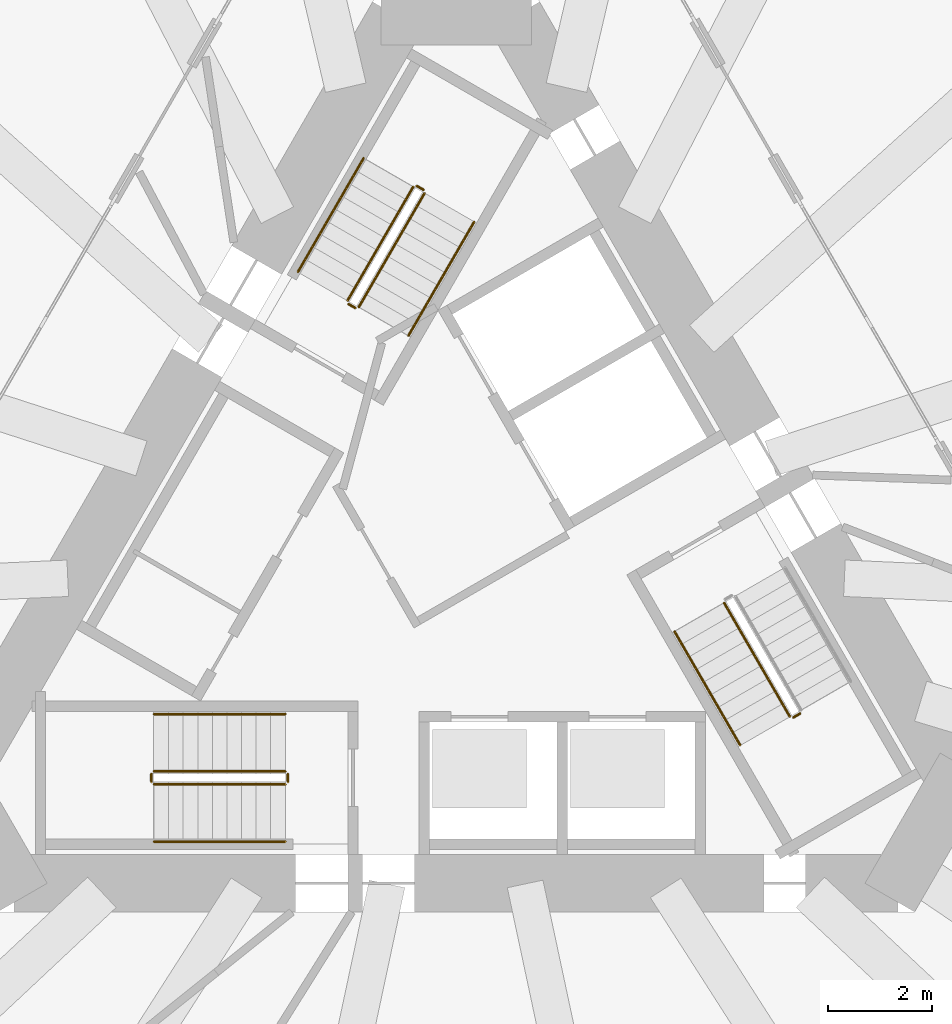
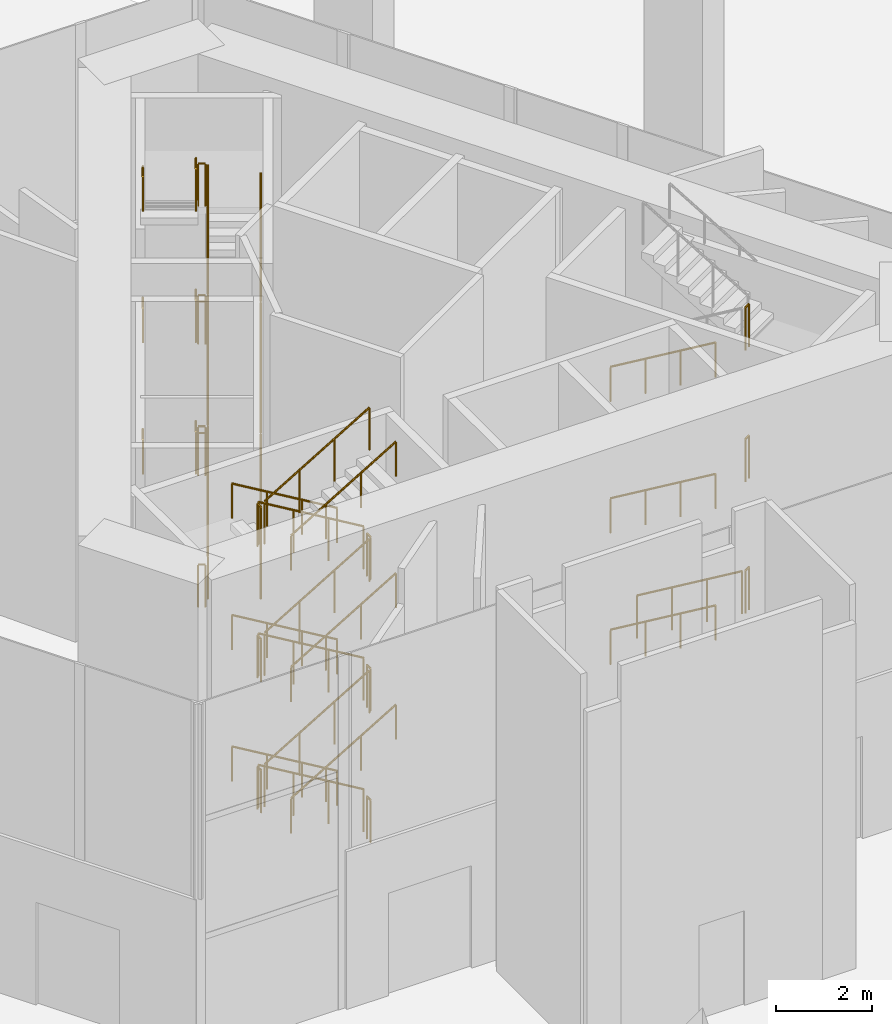
# One storey, part 11 of 13: 43 railings.
"""IFC4 building model written with IfcOpenShell, lengths in metres."""

from ifc_helpers import new_model, si_unit, direction, frame, origin, origin_2d, place, context, subcontext, project, spatial, circle, extrude, material, type_object, element, save


model = new_model("IFC4")

# Units and contexts
model_context = context("Model", 3, precision=1e-05, world=origin(), true_north=direction((0.0, 1.0)))
body_context = subcontext(model_context, "Body", "Model", "MODEL_VIEW")
ifc_project = project(units=[si_unit("LENGTHUNIT", "METRE"), si_unit("AREAUNIT", "SQUARE_METRE"), si_unit("VOLUMEUNIT", "CUBIC_METRE"), si_unit("PLANEANGLEUNIT", "RADIAN"), si_unit("MASSUNIT", "GRAM", prefix="KILO")], contexts=[model_context])

# Site, building, storey
site_placement = place(None, origin())
site = spatial("IfcSite", under=ifc_project, at=site_placement, CompositionType="ELEMENT")
building_placement = place(site_placement, origin())
building = spatial("IfcBuilding", under=site, at=building_placement, Name="Tramontana Tower", CompositionType="ELEMENT")
storey_placement = place(building_placement, origin())
storey = spatial("IfcBuildingStorey", under=building, at=storey_placement, Name="L00", CompositionType="ELEMENT", Elevation=0.0)

# Railings
ifc_material_1 = material(Name="Painted steel", Category="steel")
railing_type_1 = type_object("IfcRailingType", Name="STAIR GUARD 1100", PredefinedType="GUARDRAIL", material=ifc_material_1)
railing_1_placement = place(storey_placement, frame((-1.867431640625, 4.865478515625, 0.166748046875)))
element("IfcRailing", 1, at=railing_1_placement, inside=storey, type_object=railing_type_1, Name="L00 ST1 stair guard 1", PredefinedType="GUARDRAIL", context=body_context, shape_type="SweptSolid", body=[
    extrude(circle(Radius=0.02392578125, at=origin_2d()), frame((0.0, 0.0, 1.076171875), z_axis=(0.429650353548, 0.744166733262, 0.51148455187), x_axis=(-0.866022637375, 0.500004791531, 0.0)), (0.0, 0.0, 1.0), 2.9326171875),
    extrude(circle(Radius=0.02099609375, at=origin_2d()), origin(), (0.0, 0.0, 1.0), 1.052001953125),
    extrude(circle(Radius=0.02099609375, at=origin_2d()), frame((0.419921875, 0.7275390625, 0.5)), (0.0, 0.0, 1.0), 1.052001953125),
    extrude(circle(Radius=0.02099609375, at=origin_2d()), frame((0.840087890625, 1.454833984375, 1.0)), (0.0, 0.0, 1.0), 1.052001953125),
    extrude(circle(Radius=0.02099609375, at=origin_2d()), frame((1.260009765625, 2.182373046875, 1.5)), (0.0, 0.0, 1.0), 1.052001953125),
])
railing_2_placement = place(storey_placement, frame((-0.823974609375, 7.1728515625, 1.833251953125)))
element("IfcRailing", 2, at=railing_2_placement, inside=storey, type_object=railing_type_1, Name="L00 ST1 stair guard 2", PredefinedType="GUARDRAIL", context=body_context, shape_type="SweptSolid", body=[
    extrude(circle(Radius=0.02392578125, at=origin_2d()), frame((0.0, 0.0, 1.076171875), z_axis=(-0.429650353548, -0.744166733262, 0.51148455187), x_axis=(0.866022637375, -0.500004791531, 0.0)), (0.0, 0.0, 1.0), 2.9326171875),
    extrude(circle(Radius=0.02099609375, at=origin_2d()), origin(), (0.0, 0.0, 1.0), 1.052001953125),
    extrude(circle(Radius=0.02099609375, at=origin_2d()), frame((-0.419921875, -0.7275390625, 0.5)), (0.0, 0.0, 1.0), 1.052001953125),
    extrude(circle(Radius=0.02099609375, at=origin_2d()), frame((-0.840087890625, -1.454833984375, 1.0)), (0.0, 0.0, 1.0), 1.052001953125),
    extrude(circle(Radius=0.02099609375, at=origin_2d()), frame((-1.260009765625, -2.182373046875, 1.5)), (0.0, 0.0, 1.0), 1.052001953125),
])
railing_3_placement = place(storey_placement, frame((-1.867431640625, 4.865478515625, 3.5)))
element("IfcRailing", 3, at=railing_3_placement, inside=storey, type_object=railing_type_1, Name="L00 ST1 stair guard 3", PredefinedType="GUARDRAIL", context=body_context, shape_type="SweptSolid", body=[
    extrude(circle(Radius=0.02392578125, at=origin_2d()), frame((0.0, 0.0, 1.076171875), z_axis=(0.429650353548, 0.744166733262, 0.51148455187), x_axis=(-0.866022637375, 0.500004791531, 0.0)), (0.0, 0.0, 1.0), 2.9326171875),
    extrude(circle(Radius=0.02099609375, at=origin_2d()), origin(), (0.0, 0.0, 1.0), 1.052001953125),
    extrude(circle(Radius=0.02099609375, at=origin_2d()), frame((0.419921875, 0.7275390625, 0.5)), (0.0, 0.0, 1.0), 1.052001953125),
    extrude(circle(Radius=0.02099609375, at=origin_2d()), frame((0.840087890625, 1.454833984375, 1.0)), (0.0, 0.0, 1.0), 1.052001953125),
    extrude(circle(Radius=0.02099609375, at=origin_2d()), frame((1.260009765625, 2.182373046875, 1.5)), (0.0, 0.0, 1.0), 1.052001953125),
])
railing_4_placement = place(storey_placement, frame((-0.823974609375, 7.1728515625, 5.166748046875)))
element("IfcRailing", 4, at=railing_4_placement, inside=storey, type_object=railing_type_1, Name="L00 ST1 stair guard 4", PredefinedType="GUARDRAIL", context=body_context, shape_type="SweptSolid", body=[
    extrude(circle(Radius=0.02392578125, at=origin_2d()), frame((0.0, 0.0, 1.076171875), z_axis=(-0.429650353548, -0.744166733262, 0.51148455187), x_axis=(0.866022637375, -0.500004791531, 0.0)), (0.0, 0.0, 1.0), 2.9326171875),
    extrude(circle(Radius=0.02099609375, at=origin_2d()), origin(), (0.0, 0.0, 1.0), 1.052001953125),
    extrude(circle(Radius=0.02099609375, at=origin_2d()), frame((-0.419921875, -0.7275390625, 0.5)), (0.0, 0.0, 1.0), 1.052001953125),
    extrude(circle(Radius=0.02099609375, at=origin_2d()), frame((-0.840087890625, -1.454833984375, 1.0)), (0.0, 0.0, 1.0), 1.052001953125),
    extrude(circle(Radius=0.02099609375, at=origin_2d()), frame((-1.260009765625, -2.182373046875, 1.5)), (0.0, 0.0, 1.0), 1.052001953125),
])
railing_5_placement = place(storey_placement, frame((-1.867431640625, 4.865478515625, 6.833251953125)))
element("IfcRailing", 5, at=railing_5_placement, inside=storey, type_object=railing_type_1, Name="L00 ST1 stair guard 5", PredefinedType="GUARDRAIL", context=body_context, shape_type="SweptSolid", body=[
    extrude(circle(Radius=0.02392578125, at=origin_2d()), frame((0.0, 0.0, 1.076171875), z_axis=(0.429650353548, 0.744166733262, 0.51148455187), x_axis=(-0.866022637375, 0.500004791531, 0.0)), (0.0, 0.0, 1.0), 2.9326171875),
    extrude(circle(Radius=0.02099609375, at=origin_2d()), origin(), (0.0, 0.0, 1.0), 1.052001953125),
    extrude(circle(Radius=0.02099609375, at=origin_2d()), frame((0.419921875, 0.7275390625, 0.5)), (0.0, 0.0, 1.0), 1.052001953125),
    extrude(circle(Radius=0.02099609375, at=origin_2d()), frame((0.840087890625, 1.454833984375, 1.0)), (0.0, 0.0, 1.0), 1.052001953125),
    extrude(circle(Radius=0.02099609375, at=origin_2d()), frame((1.260009765625, 2.182373046875, 1.5)), (0.0, 0.0, 1.0), 1.052001953125),
])
railing_6_placement = place(storey_placement, frame((-0.823974609375, 7.1728515625, 8.5)))
element("IfcRailing", 6, at=railing_6_placement, inside=storey, type_object=railing_type_1, Name="L00 ST1 stair guard 6", PredefinedType="GUARDRAIL", context=body_context, shape_type="SweptSolid", body=[
    extrude(circle(Radius=0.02392578125, at=origin_2d()), frame((0.0, 0.0, 1.076171875), z_axis=(-0.429650353548, -0.744166733262, 0.51148455187), x_axis=(0.866022637375, -0.500004791531, 0.0)), (0.0, 0.0, 1.0), 2.9326171875),
    extrude(circle(Radius=0.02099609375, at=origin_2d()), origin(), (0.0, 0.0, 1.0), 1.052001953125),
    extrude(circle(Radius=0.02099609375, at=origin_2d()), frame((-0.419921875, -0.7275390625, 0.5)), (0.0, 0.0, 1.0), 1.052001953125),
    extrude(circle(Radius=0.02099609375, at=origin_2d()), frame((-0.840087890625, -1.454833984375, 1.0)), (0.0, 0.0, 1.0), 1.052001953125),
    extrude(circle(Radius=0.02099609375, at=origin_2d()), frame((-1.260009765625, -2.182373046875, 1.5)), (0.0, 0.0, 1.0), 1.052001953125),
])
railing_7_placement = place(storey_placement, frame((-0.625732421875, 7.1162109375, 1.666748046875)))
element("IfcRailing", 7, at=railing_7_placement, inside=storey, type_object=railing_type_1, Name="L00 ST1 stair guard 7", PredefinedType="GUARDRAIL", context=body_context, shape_type="SweptSolid", body=[
    extrude(circle(Radius=0.02392578125, at=origin_2d()), frame((0.0, 0.0, 1.076171875), z_axis=(-0.866131372301, 0.499816412211, 0.0), x_axis=(-0.499816412211, -0.866131372301, 0.0)), (0.0, 0.0, 1.0), 0.14990234375),
    extrude(circle(Radius=0.02099609375, at=origin_2d()), origin(), (0.0, 0.0, 1.0), 1.052001953125),
    extrude(circle(Radius=0.02099609375, at=origin_2d()), frame((-0.1298828125, 0.074951171875, 0.0)), (0.0, 0.0, 1.0), 1.052001953125),
])
railing_8_placement = place(storey_placement, frame((-1.935791015625, 4.84716796875, 3.333251953125)))
element("IfcRailing", 8, at=railing_8_placement, inside=storey, type_object=railing_type_1, Name="L00 ST1 stair guard 8", PredefinedType="GUARDRAIL", context=body_context, shape_type="SweptSolid", body=[
    extrude(circle(Radius=0.02392578125, at=origin_2d()), frame((0.0, 0.0, 1.076171875), z_axis=(-0.865426285481, 0.501036270542, 0.0), x_axis=(-0.501036270542, -0.865426285481, 0.0)), (0.0, 0.0, 1.0), 0.150146484375),
    extrude(circle(Radius=0.02099609375, at=origin_2d()), origin(), (0.0, 0.0, 1.0), 1.052001953125),
    extrude(circle(Radius=0.02099609375, at=origin_2d()), frame((-0.1298828125, 0.0751953125, 0.0)), (0.0, 0.0, 1.0), 1.052001953125),
])
railing_9_placement = place(storey_placement, frame((-0.625732421875, 7.1162109375, 5.0)))
element("IfcRailing", 9, at=railing_9_placement, inside=storey, type_object=railing_type_1, Name="L00 ST1 stair guard 9", PredefinedType="GUARDRAIL", context=body_context, shape_type="SweptSolid", body=[
    extrude(circle(Radius=0.02392578125, at=origin_2d()), frame((0.0, 0.0, 1.076171875), z_axis=(-0.866131372301, 0.499816412211, 0.0), x_axis=(-0.499816412211, -0.866131372301, 0.0)), (0.0, 0.0, 1.0), 0.14990234375),
    extrude(circle(Radius=0.02099609375, at=origin_2d()), origin(), (0.0, 0.0, 1.0), 1.052001953125),
    extrude(circle(Radius=0.02099609375, at=origin_2d()), frame((-0.1298828125, 0.074951171875, 0.0)), (0.0, 0.0, 1.0), 1.052001953125),
])
railing_10_placement = place(storey_placement, frame((-1.935791015625, 4.84716796875, 6.666748046875)))
element("IfcRailing", 10, at=railing_10_placement, inside=storey, type_object=railing_type_1, Name="L00 ST1 stair guard 10", PredefinedType="GUARDRAIL", context=body_context, shape_type="SweptSolid", body=[
    extrude(circle(Radius=0.02392578125, at=origin_2d()), frame((0.0, 0.0, 1.076171875), z_axis=(-0.865426285481, 0.501036270542, 0.0), x_axis=(-0.501036270542, -0.865426285481, 0.0)), (0.0, 0.0, 1.0), 0.150146484375),
    extrude(circle(Radius=0.02099609375, at=origin_2d()), origin(), (0.0, 0.0, 1.0), 1.052001953125),
    extrude(circle(Radius=0.02099609375, at=origin_2d()), frame((-0.1298828125, 0.0751953125, 0.0)), (0.0, 0.0, 1.0), 1.052001953125),
])
railing_11_placement = place(storey_placement, frame((-0.625732421875, 7.1162109375, 8.333251953125)))
element("IfcRailing", 11, at=railing_11_placement, inside=storey, type_object=railing_type_1, Name="L00 ST1 stair guard 11", PredefinedType="GUARDRAIL", context=body_context, shape_type="SweptSolid", body=[
    extrude(circle(Radius=0.02392578125, at=origin_2d()), frame((0.0, 0.0, 1.076171875), z_axis=(-0.866131372301, 0.499816412211, 0.0), x_axis=(-0.499816412211, -0.866131372301, 0.0)), (0.0, 0.0, 1.0), 0.14990234375),
    extrude(circle(Radius=0.02099609375, at=origin_2d()), origin(), (0.0, 0.0, 1.0), 1.052001953125),
    extrude(circle(Radius=0.02099609375, at=origin_2d()), frame((-0.1298828125, 0.074951171875, 0.0)), (0.0, 0.0, 1.0), 1.052001953125),
])
railing_12_placement = place(storey_placement, frame((-1.935791015625, 4.84716796875, 0.0)))
element("IfcRailing", 12, at=railing_12_placement, inside=storey, type_object=railing_type_1, Name="L00 ST1 stair guard 12", PredefinedType="GUARDRAIL", context=body_context, shape_type="SweptSolid", body=[
    extrude(circle(Radius=0.02392578125, at=origin_2d()), frame((0.0, 0.0, 1.076171875), z_axis=(-0.865426285481, 0.501036270542, 0.0), x_axis=(-0.501036270542, -0.865426285481, 0.0)), (0.0, 0.0, 1.0), 0.150146484375),
    extrude(circle(Radius=0.02099609375, at=origin_2d()), origin(), (0.0, 0.0, 1.0), 1.052001953125),
    extrude(circle(Radius=0.02099609375, at=origin_2d()), frame((-0.1298828125, 0.0751953125, 0.0)), (0.0, 0.0, 1.0), 1.052001953125),
])
railing_13_placement = place(storey_placement, frame((-3.280029296875, -4.050048828125, 0.166748046875)))
element("IfcRailing", 13, at=railing_13_placement, inside=storey, type_object=railing_type_1, Name="L00 ST2 stair guard 1", PredefinedType="GUARDRAIL", context=body_context, shape_type="SweptSolid", body=[
    extrude(circle(Radius=0.02392578125, at=origin_2d()), frame((0.0, 0.0, 1.076171875), z_axis=(-0.859294626741, 0.0, 0.511480932639), x_axis=(0.0, -1.0, 0.0)), (0.0, 0.0, 1.0), 2.9326171875),
    extrude(circle(Radius=0.02099609375, at=origin_2d()), origin(), (0.0, 0.0, 1.0), 1.052001953125),
    extrude(circle(Radius=0.02099609375, at=origin_2d()), frame((-0.840087890625, 0.0, 0.5)), (0.0, 0.0, 1.0), 1.052001953125),
    extrude(circle(Radius=0.02099609375, at=origin_2d()), frame((-1.679931640625, 0.0, 1.0)), (0.0, 0.0, 1.0), 1.052001953125),
    extrude(circle(Radius=0.02099609375, at=origin_2d()), frame((-2.52001953125, 0.0, 1.5)), (0.0, 0.0, 1.0), 1.052001953125),
])
railing_14_placement = place(storey_placement, frame((-5.800048828125, -4.300048828125, 1.833251953125)))
element("IfcRailing", 14, at=railing_14_placement, inside=storey, type_object=railing_type_1, Name="L00 ST2 stair guard 2", PredefinedType="GUARDRAIL", context=body_context, shape_type="SweptSolid", body=[
    extrude(circle(Radius=0.02392578125, at=origin_2d()), frame((0.0, 0.0, 1.076171875), z_axis=(0.859294626741, 0.0, 0.511480932639), x_axis=(0.0, 1.0, 0.0)), (0.0, 0.0, 1.0), 2.9326171875),
    extrude(circle(Radius=0.02099609375, at=origin_2d()), origin(), (0.0, 0.0, 1.0), 1.052001953125),
    extrude(circle(Radius=0.02099609375, at=origin_2d()), frame((0.840087890625, 0.0, 0.5)), (0.0, 0.0, 1.0), 1.052001953125),
    extrude(circle(Radius=0.02099609375, at=origin_2d()), frame((1.679931640625, 0.0, 1.0)), (0.0, 0.0, 1.0), 1.052001953125),
    extrude(circle(Radius=0.02099609375, at=origin_2d()), frame((2.52001953125, 0.0, 1.5)), (0.0, 0.0, 1.0), 1.052001953125),
])
railing_15_placement = place(storey_placement, frame((-3.280029296875, -4.050048828125, 3.5)))
element("IfcRailing", 15, at=railing_15_placement, inside=storey, type_object=railing_type_1, Name="L00 ST2 stair guard 3", PredefinedType="GUARDRAIL", context=body_context, shape_type="SweptSolid", body=[
    extrude(circle(Radius=0.02392578125, at=origin_2d()), frame((0.0, 0.0, 1.076171875), z_axis=(-0.859294626741, 0.0, 0.511480932639), x_axis=(0.0, -1.0, 0.0)), (0.0, 0.0, 1.0), 2.9326171875),
    extrude(circle(Radius=0.02099609375, at=origin_2d()), origin(), (0.0, 0.0, 1.0), 1.052001953125),
    extrude(circle(Radius=0.02099609375, at=origin_2d()), frame((-0.840087890625, 0.0, 0.5)), (0.0, 0.0, 1.0), 1.052001953125),
    extrude(circle(Radius=0.02099609375, at=origin_2d()), frame((-1.679931640625, 0.0, 1.0)), (0.0, 0.0, 1.0), 1.052001953125),
    extrude(circle(Radius=0.02099609375, at=origin_2d()), frame((-2.52001953125, 0.0, 1.5)), (0.0, 0.0, 1.0), 1.052001953125),
])
railing_16_placement = place(storey_placement, frame((-5.800048828125, -4.300048828125, 5.166748046875)))
element("IfcRailing", 16, at=railing_16_placement, inside=storey, type_object=railing_type_1, Name="L00 ST2 stair guard 4", PredefinedType="GUARDRAIL", context=body_context, shape_type="SweptSolid", body=[
    extrude(circle(Radius=0.02392578125, at=origin_2d()), frame((0.0, 0.0, 1.076171875), z_axis=(0.859294626741, 0.0, 0.511480932639), x_axis=(0.0, 1.0, 0.0)), (0.0, 0.0, 1.0), 2.9326171875),
    extrude(circle(Radius=0.02099609375, at=origin_2d()), origin(), (0.0, 0.0, 1.0), 1.052001953125),
    extrude(circle(Radius=0.02099609375, at=origin_2d()), frame((0.840087890625, 0.0, 0.5)), (0.0, 0.0, 1.0), 1.052001953125),
    extrude(circle(Radius=0.02099609375, at=origin_2d()), frame((1.679931640625, 0.0, 1.0)), (0.0, 0.0, 1.0), 1.052001953125),
    extrude(circle(Radius=0.02099609375, at=origin_2d()), frame((2.52001953125, 0.0, 1.5)), (0.0, 0.0, 1.0), 1.052001953125),
])
railing_17_placement = place(storey_placement, frame((-3.280029296875, -4.050048828125, 6.833251953125)))
element("IfcRailing", 17, at=railing_17_placement, inside=storey, type_object=railing_type_1, Name="L00 ST2 stair guard 5", PredefinedType="GUARDRAIL", context=body_context, shape_type="SweptSolid", body=[
    extrude(circle(Radius=0.02392578125, at=origin_2d()), frame((0.0, 0.0, 1.076171875), z_axis=(-0.859294626741, 0.0, 0.511480932639), x_axis=(0.0, -1.0, 0.0)), (0.0, 0.0, 1.0), 2.9326171875),
    extrude(circle(Radius=0.02099609375, at=origin_2d()), origin(), (0.0, 0.0, 1.0), 1.052001953125),
    extrude(circle(Radius=0.02099609375, at=origin_2d()), frame((-0.840087890625, 0.0, 0.5)), (0.0, 0.0, 1.0), 1.052001953125),
    extrude(circle(Radius=0.02099609375, at=origin_2d()), frame((-1.679931640625, 0.0, 1.0)), (0.0, 0.0, 1.0), 1.052001953125),
    extrude(circle(Radius=0.02099609375, at=origin_2d()), frame((-2.52001953125, 0.0, 1.5)), (0.0, 0.0, 1.0), 1.052001953125),
])
railing_18_placement = place(storey_placement, frame((-5.800048828125, -4.300048828125, 8.5)))
element("IfcRailing", 18, at=railing_18_placement, inside=storey, type_object=railing_type_1, Name="L00 ST2 stair guard 6", PredefinedType="GUARDRAIL", context=body_context, shape_type="SweptSolid", body=[
    extrude(circle(Radius=0.02392578125, at=origin_2d()), frame((0.0, 0.0, 1.076171875), z_axis=(0.859294626741, 0.0, 0.511480932639), x_axis=(0.0, 1.0, 0.0)), (0.0, 0.0, 1.0), 2.9326171875),
    extrude(circle(Radius=0.02099609375, at=origin_2d()), origin(), (0.0, 0.0, 1.0), 1.052001953125),
    extrude(circle(Radius=0.02099609375, at=origin_2d()), frame((0.840087890625, 0.0, 0.5)), (0.0, 0.0, 1.0), 1.052001953125),
    extrude(circle(Radius=0.02099609375, at=origin_2d()), frame((1.679931640625, 0.0, 1.0)), (0.0, 0.0, 1.0), 1.052001953125),
    extrude(circle(Radius=0.02099609375, at=origin_2d()), frame((2.52001953125, 0.0, 1.5)), (0.0, 0.0, 1.0), 1.052001953125),
])
for number, where, name in (
    (19, (-5.85009765625, -4.10009765625, 1.666748046875), "L00 ST2 stair guard 7"),
    (20, (-3.22998046875, -4.10009765625, 3.333251953125), "L00 ST2 stair guard 8"),
    (21, (-5.85009765625, -4.10009765625, 5.0), "L00 ST2 stair guard 9"),
    (22, (-3.22998046875, -4.10009765625, 6.666748046875), "L00 ST2 stair guard 10"),
    (23, (-5.85009765625, -4.10009765625, 8.333251953125), "L00 ST2 stair guard 11"),
    (24, (-3.22998046875, -4.10009765625, 0.0), "L00 ST2 stair guard 12"),
):
    element("IfcRailing", number, at=place(storey_placement, frame(where)), inside=storey, type_object=railing_type_1, Name=name, PredefinedType="GUARDRAIL", context=body_context, shape_type="SweptSolid", body=[
        extrude(circle(Radius=0.02392578125, at=origin_2d()), frame((0.0, 0.0, 1.076171875), z_axis=(0.0, -1.0, 0.0), x_axis=(1.0, 0.0, 0.0)), (0.0, 0.0, 1.0), 0.14990234375),
        extrude(circle(Radius=0.02099609375, at=origin_2d()), origin(), (0.0, 0.0, 1.0), 1.052001953125),
        extrude(circle(Radius=0.02099609375, at=origin_2d()), frame((0.0, -0.14990234375, 0.0)), (0.0, 0.0, 1.0), 1.052001953125),
    ])
railing_19_placement = place(storey_placement, frame((5.1474609375, -0.815673828125, 0.166748046875)))
element("IfcRailing", 25, at=railing_19_placement, inside=storey, type_object=railing_type_1, Name="L00 ST3 stair guard 1", PredefinedType="GUARDRAIL", context=body_context, shape_type="SweptSolid", body=[
    extrude(circle(Radius=0.02392578125, at=origin_2d()), frame((0.0, 0.0, 1.076171875), z_axis=(0.429650353548, -0.744166733262, 0.51148455187), x_axis=(0.866022637375, 0.500004791531, 0.0)), (0.0, 0.0, 1.0), 2.9326171875),
    extrude(circle(Radius=0.02099609375, at=origin_2d()), origin(), (0.0, 0.0, 1.0), 1.052001953125),
    extrude(circle(Radius=0.02099609375, at=origin_2d()), frame((0.419921875, -0.7275390625, 0.5)), (0.0, 0.0, 1.0), 1.052001953125),
    extrude(circle(Radius=0.02099609375, at=origin_2d()), frame((0.840087890625, -1.454833984375, 1.0)), (0.0, 0.0, 1.0), 1.052001953125),
    extrude(circle(Radius=0.02099609375, at=origin_2d()), frame((1.260009765625, -2.182373046875, 1.5)), (0.0, 0.0, 1.0), 1.052001953125),
])
for number, where, name in (
    (26, (6.4755859375, -3.016357421875, 1.666748046875), "L00 ST3 stair guard 7"),
    (27, (6.4755859375, -3.016357421875, 5.0), "L00 ST3 stair guard 9"),
    (28, (6.4755859375, -3.016357421875, 8.333251953125), "L00 ST3 stair guard 11"),
):
    element("IfcRailing", number, at=place(storey_placement, frame(where)), inside=storey, type_object=railing_type_1, Name=name, PredefinedType="GUARDRAIL", context=body_context, shape_type="SweptSolid", body=[
        extrude(circle(Radius=0.02392578125, at=origin_2d()), frame((0.0, 0.0, 1.076171875), z_axis=(0.865833797362, 0.500331725305, 0.0), x_axis=(-0.500331725305, 0.865833797362, 0.0)), (0.0, 0.0, 1.0), 0.150390625),
        extrude(circle(Radius=0.02099609375, at=origin_2d()), origin(), (0.0, 0.0, 1.0), 1.052001953125),
        extrude(circle(Radius=0.02099609375, at=origin_2d()), frame((0.130126953125, 0.0751953125, 0.0)), (0.0, 0.0, 1.0), 1.052001953125),
    ])
ifc_material_2 = material(Name="Painted steel", Category="steel")
railing_type_2 = type_object("IfcRailingType", Name="STAIR HANDRAIL 900", PredefinedType="HANDRAIL", material=ifc_material_2)
railing_20_placement = place(storey_placement, frame((-0.914794921875, 4.315673828125, 0.166748046875)))
element("IfcRailing", 29, at=railing_20_placement, inside=storey, type_object=railing_type_2, Name="L00 ST1 stair handrail 1", PredefinedType="HANDRAIL", context=body_context, shape_type="SweptSolid", body=[
    extrude(circle(Radius=0.02392578125, at=origin_2d()), frame((0.0, 0.0, 0.8759765625), z_axis=(0.429650353548, 0.744166733262, 0.51148455187), x_axis=(-0.866022637375, 0.500004791531, 0.0)), (0.0, 0.0, 1.0), 2.9326171875),
    extrude(circle(Radius=0.02099609375, at=origin_2d()), origin(), (0.0, 0.0, 1.0), 0.851806640625),
    extrude(circle(Radius=0.02099609375, at=origin_2d()), frame((0.419921875, 0.7275390625, 0.5)), (0.0, 0.0, 1.0), 0.851806640625),
    extrude(circle(Radius=0.02099609375, at=origin_2d()), frame((0.840087890625, 1.454833984375, 1.0)), (0.0, 0.0, 1.0), 0.851806640625),
    extrude(circle(Radius=0.02099609375, at=origin_2d()), frame((1.260009765625, 2.182373046875, 1.5)), (0.0, 0.0, 1.0), 0.851806640625),
])
railing_21_placement = place(storey_placement, frame((-1.776611328125, 7.722900390625, 1.833251953125)))
element("IfcRailing", 30, at=railing_21_placement, inside=storey, type_object=railing_type_2, Name="L00 ST1 stair handrail 2", PredefinedType="HANDRAIL", context=body_context, shape_type="SweptSolid", body=[
    extrude(circle(Radius=0.02392578125, at=origin_2d()), frame((0.0, 0.0, 0.8759765625), z_axis=(-0.429650353548, -0.744166733262, 0.51148455187), x_axis=(0.866022637375, -0.500004791531, 0.0)), (0.0, 0.0, 1.0), 2.9326171875),
    extrude(circle(Radius=0.02099609375, at=origin_2d()), origin(), (0.0, 0.0, 1.0), 0.851806640625),
    extrude(circle(Radius=0.02099609375, at=origin_2d()), frame((-0.419921875, -0.7275390625, 0.5)), (0.0, 0.0, 1.0), 0.851806640625),
    extrude(circle(Radius=0.02099609375, at=origin_2d()), frame((-0.840087890625, -1.454833984375, 1.0)), (0.0, 0.0, 1.0), 0.851806640625),
    extrude(circle(Radius=0.02099609375, at=origin_2d()), frame((-1.260009765625, -2.182373046875, 1.5)), (0.0, 0.0, 1.0), 0.851806640625),
])
railing_22_placement = place(storey_placement, frame((-0.914794921875, 4.315673828125, 3.5)))
element("IfcRailing", 31, at=railing_22_placement, inside=storey, type_object=railing_type_2, Name="L00 ST1 stair handrail 3", PredefinedType="HANDRAIL", context=body_context, shape_type="SweptSolid", body=[
    extrude(circle(Radius=0.02392578125, at=origin_2d()), frame((0.0, 0.0, 0.8759765625), z_axis=(0.429650353548, 0.744166733262, 0.51148455187), x_axis=(-0.866022637375, 0.500004791531, 0.0)), (0.0, 0.0, 1.0), 2.9326171875),
    extrude(circle(Radius=0.02099609375, at=origin_2d()), origin(), (0.0, 0.0, 1.0), 0.851806640625),
    extrude(circle(Radius=0.02099609375, at=origin_2d()), frame((0.419921875, 0.7275390625, 0.5)), (0.0, 0.0, 1.0), 0.851806640625),
    extrude(circle(Radius=0.02099609375, at=origin_2d()), frame((0.840087890625, 1.454833984375, 1.0)), (0.0, 0.0, 1.0), 0.851806640625),
    extrude(circle(Radius=0.02099609375, at=origin_2d()), frame((1.260009765625, 2.182373046875, 1.5)), (0.0, 0.0, 1.0), 0.851806640625),
])
railing_23_placement = place(storey_placement, frame((-1.776611328125, 7.722900390625, 5.166748046875)))
element("IfcRailing", 32, at=railing_23_placement, inside=storey, type_object=railing_type_2, Name="L00 ST1 stair handrail 4", PredefinedType="HANDRAIL", context=body_context, shape_type="SweptSolid", body=[
    extrude(circle(Radius=0.02392578125, at=origin_2d()), frame((0.0, 0.0, 0.8759765625), z_axis=(-0.429650353548, -0.744166733262, 0.51148455187), x_axis=(0.866022637375, -0.500004791531, 0.0)), (0.0, 0.0, 1.0), 2.9326171875),
    extrude(circle(Radius=0.02099609375, at=origin_2d()), origin(), (0.0, 0.0, 1.0), 0.851806640625),
    extrude(circle(Radius=0.02099609375, at=origin_2d()), frame((-0.419921875, -0.7275390625, 0.5)), (0.0, 0.0, 1.0), 0.851806640625),
    extrude(circle(Radius=0.02099609375, at=origin_2d()), frame((-0.840087890625, -1.454833984375, 1.0)), (0.0, 0.0, 1.0), 0.851806640625),
    extrude(circle(Radius=0.02099609375, at=origin_2d()), frame((-1.260009765625, -2.182373046875, 1.5)), (0.0, 0.0, 1.0), 0.851806640625),
])
railing_24_placement = place(storey_placement, frame((-0.914794921875, 4.315673828125, 6.833251953125)))
element("IfcRailing", 33, at=railing_24_placement, inside=storey, type_object=railing_type_2, Name="L00 ST1 stair handrail 5", PredefinedType="HANDRAIL", context=body_context, shape_type="SweptSolid", body=[
    extrude(circle(Radius=0.02392578125, at=origin_2d()), frame((0.0, 0.0, 0.8759765625), z_axis=(0.429650353548, 0.744166733262, 0.51148455187), x_axis=(-0.866022637375, 0.500004791531, 0.0)), (0.0, 0.0, 1.0), 2.9326171875),
    extrude(circle(Radius=0.02099609375, at=origin_2d()), origin(), (0.0, 0.0, 1.0), 0.851806640625),
    extrude(circle(Radius=0.02099609375, at=origin_2d()), frame((0.419921875, 0.7275390625, 0.5)), (0.0, 0.0, 1.0), 0.851806640625),
    extrude(circle(Radius=0.02099609375, at=origin_2d()), frame((0.840087890625, 1.454833984375, 1.0)), (0.0, 0.0, 1.0), 0.851806640625),
    extrude(circle(Radius=0.02099609375, at=origin_2d()), frame((1.260009765625, 2.182373046875, 1.5)), (0.0, 0.0, 1.0), 0.851806640625),
])
railing_25_placement = place(storey_placement, frame((-1.776611328125, 7.722900390625, 8.5)))
element("IfcRailing", 34, at=railing_25_placement, inside=storey, type_object=railing_type_2, Name="L00 ST1 stair handrail 6", PredefinedType="HANDRAIL", context=body_context, shape_type="SweptSolid", body=[
    extrude(circle(Radius=0.02392578125, at=origin_2d()), frame((0.0, 0.0, 0.8759765625), z_axis=(-0.429650353548, -0.744166733262, 0.51148455187), x_axis=(0.866022637375, -0.500004791531, 0.0)), (0.0, 0.0, 1.0), 2.9326171875),
    extrude(circle(Radius=0.02099609375, at=origin_2d()), origin(), (0.0, 0.0, 1.0), 0.851806640625),
    extrude(circle(Radius=0.02099609375, at=origin_2d()), frame((-0.419921875, -0.7275390625, 0.5)), (0.0, 0.0, 1.0), 0.851806640625),
    extrude(circle(Radius=0.02099609375, at=origin_2d()), frame((-0.840087890625, -1.454833984375, 1.0)), (0.0, 0.0, 1.0), 0.851806640625),
    extrude(circle(Radius=0.02099609375, at=origin_2d()), frame((-1.260009765625, -2.182373046875, 1.5)), (0.0, 0.0, 1.0), 0.851806640625),
])
railing_26_placement = place(storey_placement, frame((-3.280029296875, -2.949951171875, 0.166748046875)))
element("IfcRailing", 35, at=railing_26_placement, inside=storey, type_object=railing_type_2, Name="L00 ST2 stair handrail 1", PredefinedType="HANDRAIL", context=body_context, shape_type="SweptSolid", body=[
    extrude(circle(Radius=0.02392578125, at=origin_2d()), frame((0.0, 0.0, 0.8759765625), z_axis=(-0.859294626741, 0.0, 0.511480932639), x_axis=(0.0, -1.0, 0.0)), (0.0, 0.0, 1.0), 2.9326171875),
    extrude(circle(Radius=0.02099609375, at=origin_2d()), origin(), (0.0, 0.0, 1.0), 0.851806640625),
    extrude(circle(Radius=0.02099609375, at=origin_2d()), frame((-0.840087890625, 0.0, 0.5)), (0.0, 0.0, 1.0), 0.851806640625),
    extrude(circle(Radius=0.02099609375, at=origin_2d()), frame((-1.679931640625, 0.0, 1.0)), (0.0, 0.0, 1.0), 0.851806640625),
    extrude(circle(Radius=0.02099609375, at=origin_2d()), frame((-2.52001953125, 0.0, 1.5)), (0.0, 0.0, 1.0), 0.851806640625),
])
railing_27_placement = place(storey_placement, frame((-5.800048828125, -5.39990234375, 1.833251953125)))
element("IfcRailing", 36, at=railing_27_placement, inside=storey, type_object=railing_type_2, Name="L00 ST2 stair handrail 2", PredefinedType="HANDRAIL", context=body_context, shape_type="SweptSolid", body=[
    extrude(circle(Radius=0.02392578125, at=origin_2d()), frame((0.0, 0.0, 0.8759765625), z_axis=(0.859294626741, 0.0, 0.511480932639), x_axis=(0.0, 1.0, 0.0)), (0.0, 0.0, 1.0), 2.9326171875),
    extrude(circle(Radius=0.02099609375, at=origin_2d()), origin(), (0.0, 0.0, 1.0), 0.851806640625),
    extrude(circle(Radius=0.02099609375, at=origin_2d()), frame((0.840087890625, 0.0, 0.5)), (0.0, 0.0, 1.0), 0.851806640625),
    extrude(circle(Radius=0.02099609375, at=origin_2d()), frame((1.679931640625, 0.0, 1.0)), (0.0, 0.0, 1.0), 0.851806640625),
    extrude(circle(Radius=0.02099609375, at=origin_2d()), frame((2.52001953125, 0.0, 1.5)), (0.0, 0.0, 1.0), 0.851806640625),
])
railing_28_placement = place(storey_placement, frame((-3.280029296875, -2.949951171875, 3.5)))
element("IfcRailing", 37, at=railing_28_placement, inside=storey, type_object=railing_type_2, Name="L00 ST2 stair handrail 3", PredefinedType="HANDRAIL", context=body_context, shape_type="SweptSolid", body=[
    extrude(circle(Radius=0.02392578125, at=origin_2d()), frame((0.0, 0.0, 0.8759765625), z_axis=(-0.859294626741, 0.0, 0.511480932639), x_axis=(0.0, -1.0, 0.0)), (0.0, 0.0, 1.0), 2.9326171875),
    extrude(circle(Radius=0.02099609375, at=origin_2d()), origin(), (0.0, 0.0, 1.0), 0.851806640625),
    extrude(circle(Radius=0.02099609375, at=origin_2d()), frame((-0.840087890625, 0.0, 0.5)), (0.0, 0.0, 1.0), 0.851806640625),
    extrude(circle(Radius=0.02099609375, at=origin_2d()), frame((-1.679931640625, 0.0, 1.0)), (0.0, 0.0, 1.0), 0.851806640625),
    extrude(circle(Radius=0.02099609375, at=origin_2d()), frame((-2.52001953125, 0.0, 1.5)), (0.0, 0.0, 1.0), 0.851806640625),
])
railing_29_placement = place(storey_placement, frame((-5.800048828125, -5.39990234375, 5.166748046875)))
element("IfcRailing", 38, at=railing_29_placement, inside=storey, type_object=railing_type_2, Name="L00 ST2 stair handrail 4", PredefinedType="HANDRAIL", context=body_context, shape_type="SweptSolid", body=[
    extrude(circle(Radius=0.02392578125, at=origin_2d()), frame((0.0, 0.0, 0.8759765625), z_axis=(0.859294626741, 0.0, 0.511480932639), x_axis=(0.0, 1.0, 0.0)), (0.0, 0.0, 1.0), 2.9326171875),
    extrude(circle(Radius=0.02099609375, at=origin_2d()), origin(), (0.0, 0.0, 1.0), 0.851806640625),
    extrude(circle(Radius=0.02099609375, at=origin_2d()), frame((0.840087890625, 0.0, 0.5)), (0.0, 0.0, 1.0), 0.851806640625),
    extrude(circle(Radius=0.02099609375, at=origin_2d()), frame((1.679931640625, 0.0, 1.0)), (0.0, 0.0, 1.0), 0.851806640625),
    extrude(circle(Radius=0.02099609375, at=origin_2d()), frame((2.52001953125, 0.0, 1.5)), (0.0, 0.0, 1.0), 0.851806640625),
])
railing_30_placement = place(storey_placement, frame((-3.280029296875, -2.949951171875, 6.833251953125)))
element("IfcRailing", 39, at=railing_30_placement, inside=storey, type_object=railing_type_2, Name="L00 ST2 stair handrail 5", PredefinedType="HANDRAIL", context=body_context, shape_type="SweptSolid", body=[
    extrude(circle(Radius=0.02392578125, at=origin_2d()), frame((0.0, 0.0, 0.8759765625), z_axis=(-0.859294626741, 0.0, 0.511480932639), x_axis=(0.0, -1.0, 0.0)), (0.0, 0.0, 1.0), 2.9326171875),
    extrude(circle(Radius=0.02099609375, at=origin_2d()), origin(), (0.0, 0.0, 1.0), 0.851806640625),
    extrude(circle(Radius=0.02099609375, at=origin_2d()), frame((-0.840087890625, 0.0, 0.5)), (0.0, 0.0, 1.0), 0.851806640625),
    extrude(circle(Radius=0.02099609375, at=origin_2d()), frame((-1.679931640625, 0.0, 1.0)), (0.0, 0.0, 1.0), 0.851806640625),
    extrude(circle(Radius=0.02099609375, at=origin_2d()), frame((-2.52001953125, 0.0, 1.5)), (0.0, 0.0, 1.0), 0.851806640625),
])
railing_31_placement = place(storey_placement, frame((-5.800048828125, -5.39990234375, 8.5)))
element("IfcRailing", 40, at=railing_31_placement, inside=storey, type_object=railing_type_2, Name="L00 ST2 stair handrail 6", PredefinedType="HANDRAIL", context=body_context, shape_type="SweptSolid", body=[
    extrude(circle(Radius=0.02392578125, at=origin_2d()), frame((0.0, 0.0, 0.8759765625), z_axis=(0.859294626741, 0.0, 0.511480932639), x_axis=(0.0, 1.0, 0.0)), (0.0, 0.0, 1.0), 2.9326171875),
    extrude(circle(Radius=0.02099609375, at=origin_2d()), origin(), (0.0, 0.0, 1.0), 0.851806640625),
    extrude(circle(Radius=0.02099609375, at=origin_2d()), frame((0.840087890625, 0.0, 0.5)), (0.0, 0.0, 1.0), 0.851806640625),
    extrude(circle(Radius=0.02099609375, at=origin_2d()), frame((1.679931640625, 0.0, 1.0)), (0.0, 0.0, 1.0), 0.851806640625),
    extrude(circle(Radius=0.02099609375, at=origin_2d()), frame((2.52001953125, 0.0, 1.5)), (0.0, 0.0, 1.0), 0.851806640625),
])
for number, where, name in (
    (41, (4.19482421875, -1.365478515625, 0.166748046875), "L00 ST3 stair handrail 1"),
    (42, (4.19482421875, -1.365478515625, 3.5), "L00 ST3 stair handrail 3"),
    (43, (4.19482421875, -1.365478515625, 6.833251953125), "L00 ST3 stair handrail 5"),
):
    element("IfcRailing", number, at=place(storey_placement, frame(where)), inside=storey, type_object=railing_type_2, Name=name, PredefinedType="HANDRAIL", context=body_context, shape_type="SweptSolid", body=[
        extrude(circle(Radius=0.02392578125, at=origin_2d()), frame((0.0, 0.0, 0.8759765625), z_axis=(0.429650353548, -0.744166733262, 0.51148455187), x_axis=(0.866022637375, 0.500004791531, 0.0)), (0.0, 0.0, 1.0), 2.9326171875),
        extrude(circle(Radius=0.02099609375, at=origin_2d()), origin(), (0.0, 0.0, 1.0), 0.851806640625),
        extrude(circle(Radius=0.02099609375, at=origin_2d()), frame((0.419921875, -0.7275390625, 0.5)), (0.0, 0.0, 1.0), 0.851806640625),
        extrude(circle(Radius=0.02099609375, at=origin_2d()), frame((0.840087890625, -1.454833984375, 1.0)), (0.0, 0.0, 1.0), 0.851806640625),
        extrude(circle(Radius=0.02099609375, at=origin_2d()), frame((1.260009765625, -2.182373046875, 1.5)), (0.0, 0.0, 1.0), 0.851806640625),
    ])

save(model, "model.ifc")
